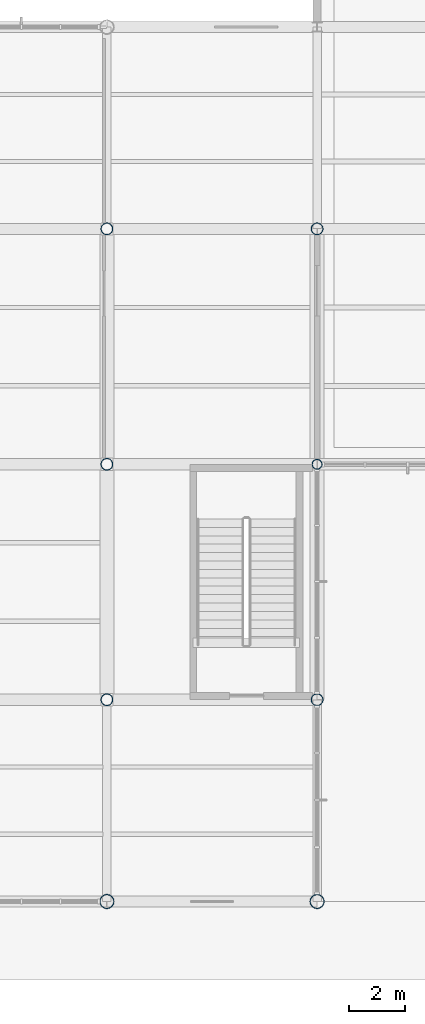
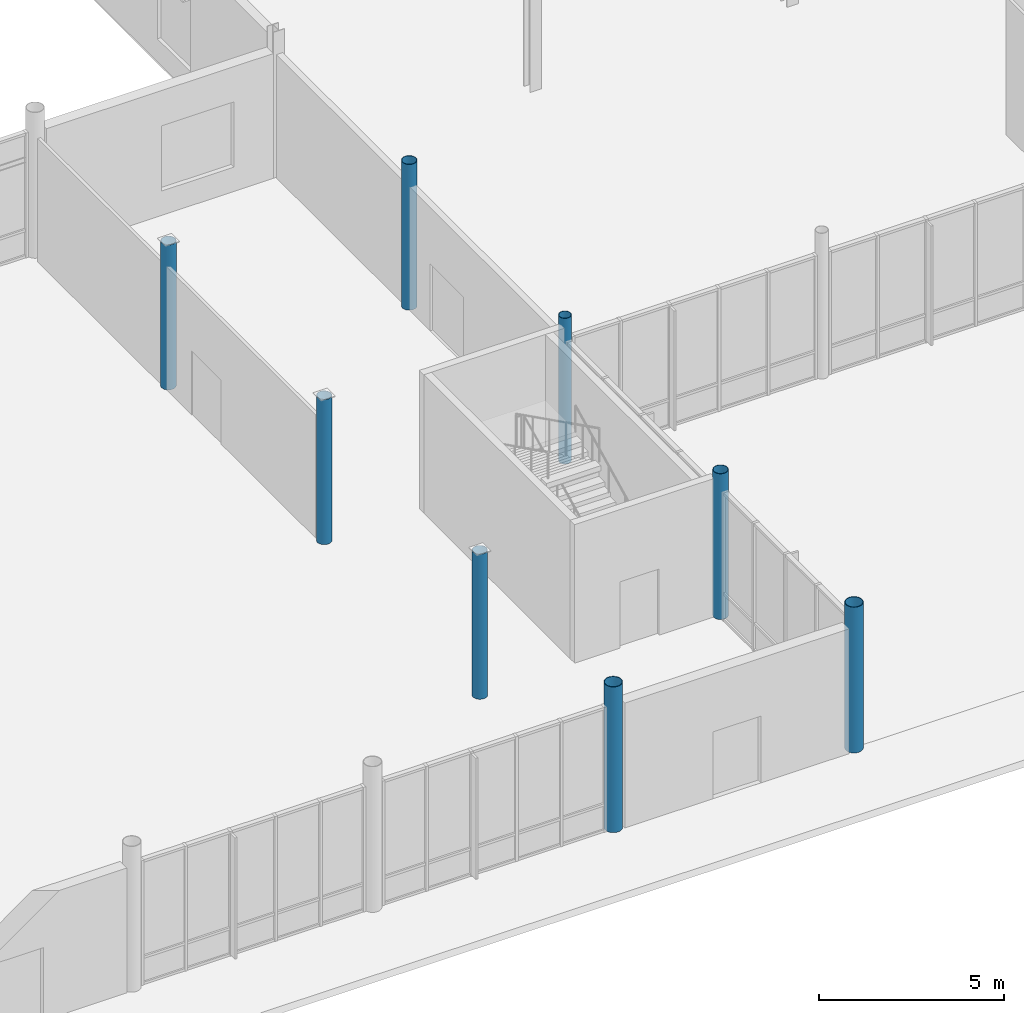
# One storey, part 2 of 82: 8 columns.
"""IFC4 building model written with IfcOpenShell, lengths in metres."""

from ifc_helpers import new_model, si_unit, direction, frame, origin, origin_2d, place, context, subcontext, project, spatial, hollow_circle, extrude, material, material_profile, profile_set, type_object, element, save


model = new_model("IFC4")

# Units and contexts
model_context = context("Model", 3, precision=1e-05, world=origin(), true_north=direction((0.0, 1.0)))
body_context = subcontext(model_context, "Body", "Model", "MODEL_VIEW")
ifc_project = project(units=[si_unit("LENGTHUNIT", "METRE"), si_unit("AREAUNIT", "SQUARE_METRE"), si_unit("VOLUMEUNIT", "CUBIC_METRE"), si_unit("PLANEANGLEUNIT", "RADIAN"), si_unit("MASSUNIT", "GRAM", prefix="KILO")], contexts=[model_context])

# Site, building, storey
site_placement = place(None, origin())
site = spatial("IfcSite", under=ifc_project, at=site_placement, CompositionType="ELEMENT")
building_placement = place(site_placement, origin())
building = spatial("IfcBuilding", under=site, at=building_placement, Name="Yukiwa Park Conservatory and Herbarium", CompositionType="ELEMENT")
storey_placement = place(building_placement, origin())
storey = spatial("IfcBuildingStorey", under=building, at=storey_placement, Name="L00", CompositionType="ELEMENT", Elevation=0.0)

# Columns
ifc_material_1 = material(Name="Steel Q355D", Category="steel")
ifc_material_profile_1 = material_profile(ifc_material_1, hollow_circle(Radius=0.177734375, WallThickness=0.012451171875, at=origin_2d()), Name="CHS 355.6x12.5")
ifc_profile_set_1 = profile_set([ifc_material_profile_1], Name="Steel Q355D")
column_type_1 = type_object("IfcColumnType", Name="COL-CN-CHS356", PredefinedType="COLUMN", material=ifc_profile_set_1)
column_1_placement = place(storey_placement, frame((60.0, 15.60009765625, 0.0), z_axis=(0.0, 0.0, 1.0), x_axis=(1.0, 0.0, 0.0)))
element("IfcColumn", 1, at=column_1_placement, inside=storey, type_object=column_type_1, Name="L00 column V2-X600-Y156", PredefinedType="COLUMN", context=body_context, shape_type="SweptSolid", body=[
    extrude(hollow_circle(Radius=0.177734375, WallThickness=0.012451171875, at=origin_2d()), origin(), (0.0, 0.0, 1.0), 4.800048828125),
])
ifc_material_2 = material(Name="Steel Q355D", Category="steel")
ifc_material_profile_2 = material_profile(ifc_material_2, hollow_circle(Radius=0.212890625, WallThickness=0.013916015625, at=origin_2d()), Name="CHS 426x14")
ifc_profile_set_2 = profile_set([ifc_material_profile_2], Name="Steel Q355D")
column_type_2 = type_object("IfcColumnType", Name="COL-CV-CHS426", PredefinedType="COLUMN", material=ifc_profile_set_2)
for number, where, z_axis, x_axis, name in (
    (2, (52.5, 7.199951171875, 0.0), (0.0, 0.0, 1.0), (1.0, 0.0, 0.0), "L00 column V1-X525-Y72"),
    (3, (52.5, 15.60009765625, 0.0), (0.0, 0.0, 1.0), (1.0, 0.0, 0.0), "L00 column V1-X525-Y156"),
    (4, (52.5, 24.0, 0.0), (0.0, 0.0, 1.0), (1.0, 0.0, 0.0), "L00 column V1-X525-Y240"),
):
    element("IfcColumn", number, at=place(storey_placement, frame(where, z_axis=z_axis, x_axis=x_axis)), inside=storey, type_object=column_type_2, Name=name, PredefinedType="COLUMN", context=body_context, shape_type="SweptSolid", body=[
        extrude(hollow_circle(Radius=0.212890625, WallThickness=0.013916015625, at=origin_2d()), origin(), (0.0, 0.0, 1.0), 4.77587890625),
    ])
column_2_placement = place(storey_placement, frame((60.0, 24.0, 0.0), z_axis=(0.0, 0.0, 1.0), x_axis=(1.0, 0.0, 0.0)))
element("IfcColumn", 5, at=column_2_placement, inside=storey, type_object=column_type_2, Name="L00 column V1-X600-Y240", PredefinedType="COLUMN", context=body_context, shape_type="SweptSolid", body=[
    extrude(hollow_circle(Radius=0.212890625, WallThickness=0.013916015625, at=origin_2d()), origin(), (0.0, 0.0, 1.0), 4.800048828125),
])
ifc_material_3 = material(Name="Steel Q355D", Category="steel")
ifc_material_profile_3 = material_profile(ifc_material_3, hollow_circle(Radius=0.212890625, WallThickness=0.013916015625, at=origin_2d()), Name="CHS 426x14")
ifc_profile_set_3 = profile_set([ifc_material_profile_3], Name="Steel Q355D")
column_type_3 = type_object("IfcColumnType", Name="COL-CV-CHS426-EXT", PredefinedType="COLUMN", material=ifc_profile_set_3)
column_3_placement = place(storey_placement, frame((60.0, 7.199951171875, 0.0), z_axis=(0.0, 0.0, 1.0), x_axis=(1.0, 0.0, 0.0)))
element("IfcColumn", 6, at=column_3_placement, inside=storey, type_object=column_type_3, Name="L00 column V1-X600-Y72", PredefinedType="COLUMN", context=body_context, shape_type="SweptSolid", body=[
    extrude(hollow_circle(Radius=0.212890625, WallThickness=0.013916015625, at=origin_2d()), origin(), (0.0, 0.0, 1.0), 4.800048828125),
])
ifc_material_4 = material(Name="Steel Q355D", Category="steel")
ifc_material_profile_4 = material_profile(ifc_material_4, hollow_circle(Radius=0.25390625, WallThickness=0.01611328125, at=origin_2d()), Name="CHS 508x16")
ifc_profile_set_4 = profile_set([ifc_material_profile_4], Name="Steel Q355D")
column_type_4 = type_object("IfcColumnType", Name="COL-CV-CHS508", PredefinedType="COLUMN", material=ifc_profile_set_4)
for number, where, z_axis, x_axis, name in (
    (7, (52.5, 0.0, 0.0), (0.0, 0.0, 1.0), (1.0, 0.0, 0.0), "L00 column V1-X525-Y0"),
    (8, (60.0, 0.0, 0.0), (0.0, 0.0, 1.0), (1.0, 0.0, 0.0), "L00 column V1-X600-Y0"),
):
    element("IfcColumn", number, at=place(storey_placement, frame(where, z_axis=z_axis, x_axis=x_axis)), inside=storey, type_object=column_type_4, Name=name, PredefinedType="COLUMN", context=body_context, shape_type="SweptSolid", body=[
        extrude(hollow_circle(Radius=0.25390625, WallThickness=0.01611328125, at=origin_2d()), origin(), (0.0, 0.0, 1.0), 4.800048828125),
    ])

save(model, "model.ifc")
